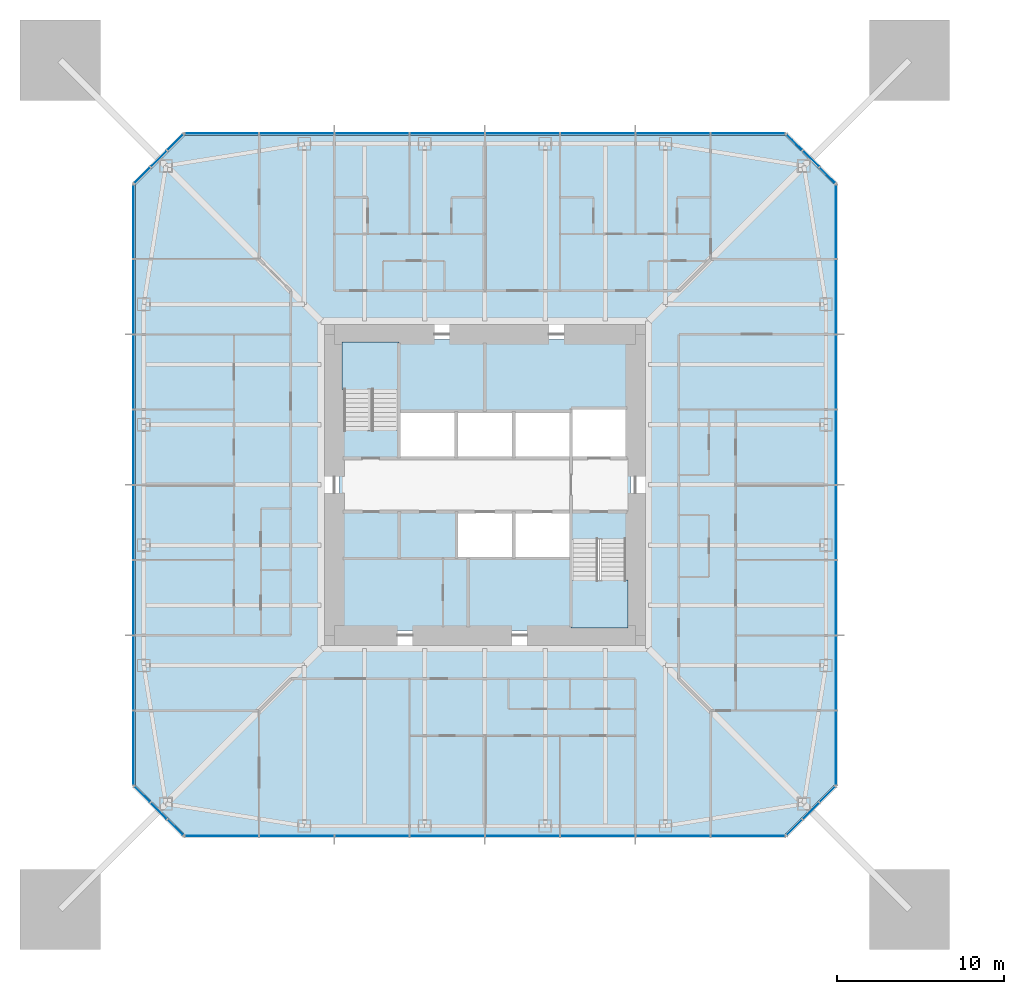
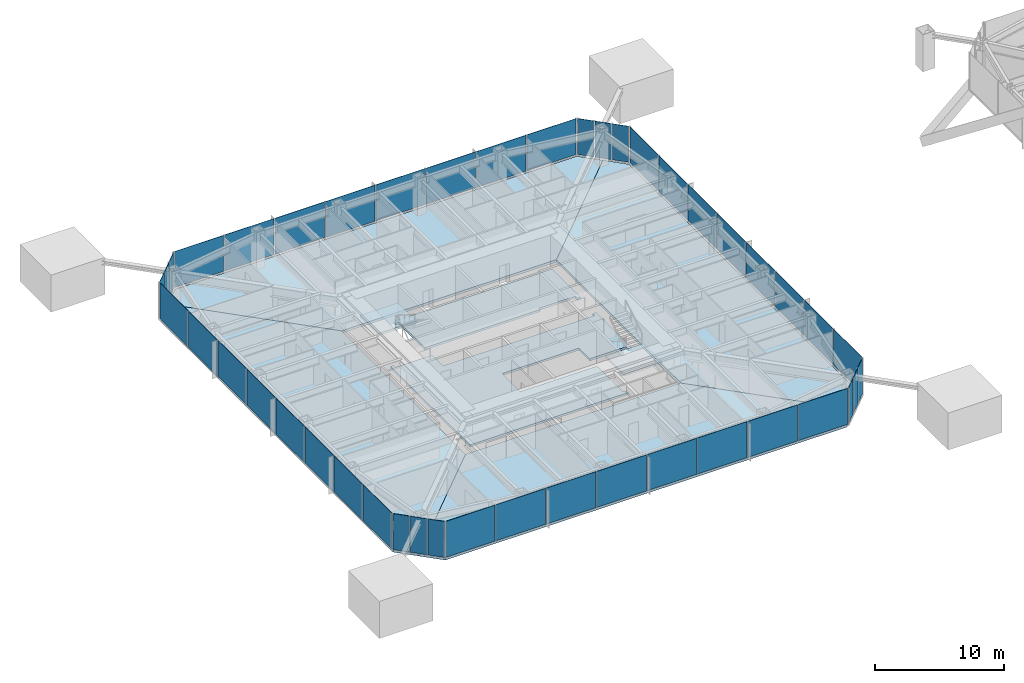
# One storey, part 11 of 25: 44 plates, 8 slabs, 10 elements without a shape of their own.
"""IFC4 building model written with IfcOpenShell, lengths in metres."""

from ifc_helpers import new_model, si_unit, direction, frame, origin, origin_2d, place, context, subcontext, project, spatial, polyline, rectangle, outline, extrude, material, layer, layer_set, constituent, constituent_set, type_object, element, aggregate, save


model = new_model("IFC4")

# Units and contexts
model_context = context("Model", 3, precision=1e-05, world=origin(), true_north=direction((0.0, 1.0)))
body_context = subcontext(model_context, "Body", "Model", "MODEL_VIEW")
ifc_project = project(units=[si_unit("LENGTHUNIT", "METRE"), si_unit("AREAUNIT", "SQUARE_METRE"), si_unit("VOLUMEUNIT", "CUBIC_METRE"), si_unit("PLANEANGLEUNIT", "RADIAN"), si_unit("MASSUNIT", "GRAM", prefix="KILO")], contexts=[model_context])

# Site, building, storey
site_placement = place(None, origin())
site = spatial("IfcSite", under=ifc_project, at=site_placement, CompositionType="ELEMENT")
building_placement = place(site_placement, origin())
building = spatial("IfcBuilding", under=site, at=building_placement, Name="Iwan Alto Co-Living Towers", CompositionType="ELEMENT")
storey_placement = place(building_placement, frame((0.0, 0.0, 108.5)))
storey = spatial("IfcBuildingStorey", under=building, at=storey_placement, Name="L29", CompositionType="ELEMENT", Elevation=108.5)

# Slabs
ifc_material_1 = material(Name="Concrete f'c 30 MPa", Category="concrete")
ifc_layer_1 = layer(ifc_material_1, 0.199951171875)
ifc_layer_set_1 = layer_set([ifc_layer_1], Name="CORE FLOOR SLAB 200")
slab_type_1 = type_object("IfcSlabType", Name="CORE FLOOR SLAB 200", PredefinedType="FLOOR", material=ifc_layer_set_1)
slab_1_placement = place(storey_placement, frame((0.0, 0.0, -0.199951171875)))
element("IfcSlab", 1, at=slab_1_placement, inside=storey, type_object=slab_type_1, Name="T1 core floor L29", PredefinedType="FLOOR", context=body_context, shape_type="SweptSolid", body=[
    extrude(outline(polyline([(5.14990234375, -1.60009765625), (1.72509765625, -1.60009765625), (-1.699951171875, -1.60009765625), (-1.699951171875, -4.39990234375), (1.72509765625, -4.39990234375), (5.14990234375, -4.39990234375), (5.14990234375, -8.39990234375), (5.4599609375, -8.39990234375), (5.4599609375, -8.699951171875), (-8.699951171875, -8.699951171875), (-8.699951171875, 3.580078125), (-8.39990234375, 3.580078125), (-8.39990234375, 3.27001953125), (-5.14990234375, 3.27001953125), (-5.14990234375, 1.60009765625), (-1.717041015625, 1.60009765625), (1.717041015625, 1.60009765625), (5.14990234375, 1.60009765625), (8.39990234375, 1.60009765625), (8.39990234375, 1.909912109375), (8.699951171875, 1.909912109375), (8.699951171875, -3.580078125), (8.39990234375, -3.580078125), (8.39990234375, -3.27001953125), (5.14990234375, -3.27001953125), (5.14990234375, -1.60009765625)])), origin(), (0.0, 0.0, 1.0), 0.199951171875),
])
slab_2_placement = place(storey_placement, frame((0.0, 0.0, -0.199951171875)))
element("IfcSlab", 2, at=slab_2_placement, inside=storey, type_object=slab_type_1, Name="T1 core floor L29", PredefinedType="FLOOR", context=body_context, shape_type="SweptSolid", body=[
    extrude(outline(polyline([(1.717041015625, 4.39990234375), (-1.717041015625, 4.39990234375), (-5.14990234375, 4.39990234375), (-5.14990234375, 8.39990234375), (-5.4599609375, 8.39990234375), (-5.4599609375, 8.699951171875), (8.699951171875, 8.699951171875), (8.699951171875, 4.2900390625), (8.39990234375, 4.2900390625), (8.39990234375, 4.60009765625), (5.14990234375, 4.60009765625), (5.14990234375, 4.39990234375), (1.717041015625, 4.39990234375)])), origin(), (0.0, 0.0, 1.0), 0.199951171875),
])

# Curtain wall, plates
ifc_material_2 = material(Name="Bronze aluminium unitised frame", Category="aluminium")
curtain_wall_type_1 = type_object("IfcCurtainWallType", Name="CURTAIN WALL CW-A", PredefinedType="NOTDEFINED", material=ifc_material_2)
curtain_wall_1_placement = place(storey_placement, origin())
curtain_wall_1 = element("IfcCurtainWall", 3, at=curtain_wall_1_placement, inside=storey, type_object=curtain_wall_type_1, Name="T1 curtain wall S L29", PredefinedType="NOTDEFINED")
ifc_material_3 = material(Name="Bronze-tinted insulating glass", Category="glass")
ifc_layer_2 = layer(ifc_material_3, 0.031982421875)
ifc_layer_set_2 = layer_set([ifc_layer_2], Name="CW-A PANEL TINTED IGU 32")
plate_type_1 = type_object("IfcPlateType", Name="CW-A PANEL TINTED IGU 32", PredefinedType="CURTAIN_PANEL", material=ifc_layer_set_2)
plate_1_placement = place(storey_placement, frame((-15.72998046875, -21.0, 0.10009765625), z_axis=(0.0, 0.0, 1.0), x_axis=(1.0, 0.0, 0.0)))
plate_1 = element("IfcPlate", 4, at=plate_1_placement, type_object=plate_type_1, Name="CW-A panel 1.1", PredefinedType="CURTAIN_PANEL", context=body_context, shape_type="SweptSolid", body=[
    extrude(rectangle(XDim=4.3798828125, YDim=0.031982421875, at=origin_2d()), origin(), (0.0, 0.0, 1.0), 3.39990234375),
])
plate_2_placement = place(storey_placement, frame((-11.25, -21.0, 0.10009765625), z_axis=(0.0, 0.0, 1.0), x_axis=(1.0, 0.0, 0.0)))
plate_2 = element("IfcPlate", 5, at=plate_2_placement, type_object=plate_type_1, Name="CW-A panel 2.1", PredefinedType="CURTAIN_PANEL", context=body_context, shape_type="SweptSolid", body=[
    extrude(rectangle(XDim=4.419921875, YDim=0.031982421875, at=origin_2d()), origin(), (0.0, 0.0, 1.0), 3.39990234375),
])
plate_3_placement = place(storey_placement, frame((-6.75, -21.0, 0.10009765625), z_axis=(0.0, 0.0, 1.0), x_axis=(1.0, 0.0, 0.0)))
plate_3 = element("IfcPlate", 6, at=plate_3_placement, type_object=plate_type_1, Name="CW-A panel 3.1", PredefinedType="CURTAIN_PANEL", context=body_context, shape_type="SweptSolid", body=[
    extrude(rectangle(XDim=4.419921875, YDim=0.031982421875, at=origin_2d()), origin(), (0.0, 0.0, 1.0), 3.39990234375),
])
plate_4_placement = place(storey_placement, frame((-2.25, -21.0, 0.10009765625), z_axis=(0.0, 0.0, 1.0), x_axis=(1.0, 0.0, 0.0)))
plate_4 = element("IfcPlate", 7, at=plate_4_placement, type_object=plate_type_1, Name="CW-A panel 4.1", PredefinedType="CURTAIN_PANEL", context=body_context, shape_type="SweptSolid", body=[
    extrude(rectangle(XDim=4.419921875, YDim=0.031982421875, at=origin_2d()), origin(), (0.0, 0.0, 1.0), 3.39990234375),
])
plate_5_placement = place(storey_placement, frame((2.25, -21.0, 0.10009765625), z_axis=(0.0, 0.0, 1.0), x_axis=(1.0, 0.0, 0.0)))
plate_5 = element("IfcPlate", 8, at=plate_5_placement, type_object=plate_type_1, Name="CW-A panel 5.1", PredefinedType="CURTAIN_PANEL", context=body_context, shape_type="SweptSolid", body=[
    extrude(rectangle(XDim=4.419921875, YDim=0.031982421875, at=origin_2d()), origin(), (0.0, 0.0, 1.0), 3.39990234375),
])
plate_6_placement = place(storey_placement, frame((6.75, -21.0, 0.10009765625), z_axis=(0.0, 0.0, 1.0), x_axis=(1.0, 0.0, 0.0)))
plate_6 = element("IfcPlate", 9, at=plate_6_placement, type_object=plate_type_1, Name="CW-A panel 6.1", PredefinedType="CURTAIN_PANEL", context=body_context, shape_type="SweptSolid", body=[
    extrude(rectangle(XDim=4.419921875, YDim=0.031982421875, at=origin_2d()), origin(), (0.0, 0.0, 1.0), 3.39990234375),
])
plate_7_placement = place(storey_placement, frame((11.25, -21.0, 0.10009765625), z_axis=(0.0, 0.0, 1.0), x_axis=(1.0, 0.0, 0.0)))
plate_7 = element("IfcPlate", 10, at=plate_7_placement, type_object=plate_type_1, Name="CW-A panel 7.1", PredefinedType="CURTAIN_PANEL", context=body_context, shape_type="SweptSolid", body=[
    extrude(rectangle(XDim=4.419921875, YDim=0.031982421875, at=origin_2d()), origin(), (0.0, 0.0, 1.0), 3.39990234375),
])
plate_8_placement = place(storey_placement, frame((15.72998046875, -21.0, 0.10009765625), z_axis=(0.0, 0.0, 1.0), x_axis=(1.0, 0.0, 0.0)))
plate_8 = element("IfcPlate", 11, at=plate_8_placement, type_object=plate_type_1, Name="CW-A panel 8.1", PredefinedType="CURTAIN_PANEL", context=body_context, shape_type="SweptSolid", body=[
    extrude(rectangle(XDim=4.3798828125, YDim=0.031982421875, at=origin_2d()), origin(), (0.0, 0.0, 1.0), 3.39990234375),
])
aggregate(curtain_wall_1, [plate_1, plate_2, plate_3, plate_4, plate_5, plate_6, plate_7, plate_8])

curtain_wall_2_placement = place(storey_placement, origin())
curtain_wall_2 = element("IfcCurtainWall", 12, at=curtain_wall_2_placement, inside=storey, type_object=curtain_wall_type_1, Name="T1 curtain wall E L29", PredefinedType="NOTDEFINED")
plate_9_placement = place(storey_placement, frame((21.0, -15.72998046875, 0.10009765625), z_axis=(0.0, 0.0, 1.0), x_axis=(0.0, 1.0, 0.0)))
plate_9 = element("IfcPlate", 13, at=plate_9_placement, type_object=plate_type_1, Name="CW-A panel 1.1", PredefinedType="CURTAIN_PANEL", context=body_context, shape_type="SweptSolid", body=[
    extrude(rectangle(XDim=4.3798828125, YDim=0.031982421875, at=origin_2d()), origin(), (0.0, 0.0, 1.0), 3.39990234375),
])
plate_10_placement = place(storey_placement, frame((21.0, -11.25, 0.10009765625), z_axis=(0.0, 0.0, 1.0), x_axis=(0.0, 1.0, 0.0)))
plate_10 = element("IfcPlate", 14, at=plate_10_placement, type_object=plate_type_1, Name="CW-A panel 2.1", PredefinedType="CURTAIN_PANEL", context=body_context, shape_type="SweptSolid", body=[
    extrude(rectangle(XDim=4.419921875, YDim=0.031982421875, at=origin_2d()), origin(), (0.0, 0.0, 1.0), 3.39990234375),
])
plate_11_placement = place(storey_placement, frame((21.0, -6.75, 0.10009765625), z_axis=(0.0, 0.0, 1.0), x_axis=(0.0, 1.0, 0.0)))
plate_11 = element("IfcPlate", 15, at=plate_11_placement, type_object=plate_type_1, Name="CW-A panel 3.1", PredefinedType="CURTAIN_PANEL", context=body_context, shape_type="SweptSolid", body=[
    extrude(rectangle(XDim=4.419921875, YDim=0.031982421875, at=origin_2d()), origin(), (0.0, 0.0, 1.0), 3.39990234375),
])
plate_12_placement = place(storey_placement, frame((21.0, -2.25, 0.10009765625), z_axis=(0.0, 0.0, 1.0), x_axis=(0.0, 1.0, 0.0)))
plate_12 = element("IfcPlate", 16, at=plate_12_placement, type_object=plate_type_1, Name="CW-A panel 4.1", PredefinedType="CURTAIN_PANEL", context=body_context, shape_type="SweptSolid", body=[
    extrude(rectangle(XDim=4.419921875, YDim=0.031982421875, at=origin_2d()), origin(), (0.0, 0.0, 1.0), 3.39990234375),
])
plate_13_placement = place(storey_placement, frame((21.0, 2.25, 0.10009765625), z_axis=(0.0, 0.0, 1.0), x_axis=(0.0, 1.0, 0.0)))
plate_13 = element("IfcPlate", 17, at=plate_13_placement, type_object=plate_type_1, Name="CW-A panel 5.1", PredefinedType="CURTAIN_PANEL", context=body_context, shape_type="SweptSolid", body=[
    extrude(rectangle(XDim=4.419921875, YDim=0.031982421875, at=origin_2d()), origin(), (0.0, 0.0, 1.0), 3.39990234375),
])
plate_14_placement = place(storey_placement, frame((21.0, 6.75, 0.10009765625), z_axis=(0.0, 0.0, 1.0), x_axis=(0.0, 1.0, 0.0)))
plate_14 = element("IfcPlate", 18, at=plate_14_placement, type_object=plate_type_1, Name="CW-A panel 6.1", PredefinedType="CURTAIN_PANEL", context=body_context, shape_type="SweptSolid", body=[
    extrude(rectangle(XDim=4.419921875, YDim=0.031982421875, at=origin_2d()), origin(), (0.0, 0.0, 1.0), 3.39990234375),
])
plate_15_placement = place(storey_placement, frame((21.0, 11.25, 0.10009765625), z_axis=(0.0, 0.0, 1.0), x_axis=(0.0, 1.0, 0.0)))
plate_15 = element("IfcPlate", 19, at=plate_15_placement, type_object=plate_type_1, Name="CW-A panel 7.1", PredefinedType="CURTAIN_PANEL", context=body_context, shape_type="SweptSolid", body=[
    extrude(rectangle(XDim=4.419921875, YDim=0.031982421875, at=origin_2d()), origin(), (0.0, 0.0, 1.0), 3.39990234375),
])
plate_16_placement = place(storey_placement, frame((21.0, 15.72998046875, 0.10009765625), z_axis=(0.0, 0.0, 1.0), x_axis=(0.0, 1.0, 0.0)))
plate_16 = element("IfcPlate", 20, at=plate_16_placement, type_object=plate_type_1, Name="CW-A panel 8.1", PredefinedType="CURTAIN_PANEL", context=body_context, shape_type="SweptSolid", body=[
    extrude(rectangle(XDim=4.3798828125, YDim=0.031982421875, at=origin_2d()), origin(), (0.0, 0.0, 1.0), 3.39990234375),
])
aggregate(curtain_wall_2, [plate_9, plate_10, plate_11, plate_12, plate_13, plate_14, plate_15, plate_16])

curtain_wall_3_placement = place(storey_placement, origin())
curtain_wall_3 = element("IfcCurtainWall", 21, at=curtain_wall_3_placement, inside=storey, type_object=curtain_wall_type_1, Name="T1 curtain wall N L29", PredefinedType="NOTDEFINED")
plate_17_placement = place(storey_placement, frame((15.72998046875, 21.0, 0.10009765625), z_axis=(0.0, 0.0, 1.0), x_axis=(-1.0, 0.0, 0.0)))
plate_17 = element("IfcPlate", 22, at=plate_17_placement, type_object=plate_type_1, Name="CW-A panel 1.1", PredefinedType="CURTAIN_PANEL", context=body_context, shape_type="SweptSolid", body=[
    extrude(rectangle(XDim=4.3798828125, YDim=0.031982421875, at=origin_2d()), origin(), (0.0, 0.0, 1.0), 3.39990234375),
])
plate_18_placement = place(storey_placement, frame((11.25, 21.0, 0.10009765625), z_axis=(0.0, 0.0, 1.0), x_axis=(-1.0, 0.0, 0.0)))
plate_18 = element("IfcPlate", 23, at=plate_18_placement, type_object=plate_type_1, Name="CW-A panel 2.1", PredefinedType="CURTAIN_PANEL", context=body_context, shape_type="SweptSolid", body=[
    extrude(rectangle(XDim=4.419921875, YDim=0.031982421875, at=origin_2d()), origin(), (0.0, 0.0, 1.0), 3.39990234375),
])
plate_19_placement = place(storey_placement, frame((6.75, 21.0, 0.10009765625), z_axis=(0.0, 0.0, 1.0), x_axis=(-1.0, 0.0, 0.0)))
plate_19 = element("IfcPlate", 24, at=plate_19_placement, type_object=plate_type_1, Name="CW-A panel 3.1", PredefinedType="CURTAIN_PANEL", context=body_context, shape_type="SweptSolid", body=[
    extrude(rectangle(XDim=4.419921875, YDim=0.031982421875, at=origin_2d()), origin(), (0.0, 0.0, 1.0), 3.39990234375),
])
plate_20_placement = place(storey_placement, frame((2.25, 21.0, 0.10009765625), z_axis=(0.0, 0.0, 1.0), x_axis=(-1.0, 0.0, 0.0)))
plate_20 = element("IfcPlate", 25, at=plate_20_placement, type_object=plate_type_1, Name="CW-A panel 4.1", PredefinedType="CURTAIN_PANEL", context=body_context, shape_type="SweptSolid", body=[
    extrude(rectangle(XDim=4.419921875, YDim=0.031982421875, at=origin_2d()), origin(), (0.0, 0.0, 1.0), 3.39990234375),
])
plate_21_placement = place(storey_placement, frame((-2.25, 21.0, 0.10009765625), z_axis=(0.0, 0.0, 1.0), x_axis=(-1.0, 0.0, 0.0)))
plate_21 = element("IfcPlate", 26, at=plate_21_placement, type_object=plate_type_1, Name="CW-A panel 5.1", PredefinedType="CURTAIN_PANEL", context=body_context, shape_type="SweptSolid", body=[
    extrude(rectangle(XDim=4.419921875, YDim=0.031982421875, at=origin_2d()), origin(), (0.0, 0.0, 1.0), 3.39990234375),
])
plate_22_placement = place(storey_placement, frame((-6.75, 21.0, 0.10009765625), z_axis=(0.0, 0.0, 1.0), x_axis=(-1.0, 0.0, 0.0)))
plate_22 = element("IfcPlate", 27, at=plate_22_placement, type_object=plate_type_1, Name="CW-A panel 6.1", PredefinedType="CURTAIN_PANEL", context=body_context, shape_type="SweptSolid", body=[
    extrude(rectangle(XDim=4.419921875, YDim=0.031982421875, at=origin_2d()), origin(), (0.0, 0.0, 1.0), 3.39990234375),
])
plate_23_placement = place(storey_placement, frame((-11.25, 21.0, 0.10009765625), z_axis=(0.0, 0.0, 1.0), x_axis=(-1.0, 0.0, 0.0)))
plate_23 = element("IfcPlate", 28, at=plate_23_placement, type_object=plate_type_1, Name="CW-A panel 7.1", PredefinedType="CURTAIN_PANEL", context=body_context, shape_type="SweptSolid", body=[
    extrude(rectangle(XDim=4.419921875, YDim=0.031982421875, at=origin_2d()), origin(), (0.0, 0.0, 1.0), 3.39990234375),
])
plate_24_placement = place(storey_placement, frame((-15.72998046875, 21.0, 0.10009765625), z_axis=(0.0, 0.0, 1.0), x_axis=(-1.0, 0.0, 0.0)))
plate_24 = element("IfcPlate", 29, at=plate_24_placement, type_object=plate_type_1, Name="CW-A panel 8.1", PredefinedType="CURTAIN_PANEL", context=body_context, shape_type="SweptSolid", body=[
    extrude(rectangle(XDim=4.3798828125, YDim=0.031982421875, at=origin_2d()), origin(), (0.0, 0.0, 1.0), 3.39990234375),
])
aggregate(curtain_wall_3, [plate_17, plate_18, plate_19, plate_20, plate_21, plate_22, plate_23, plate_24])

curtain_wall_4_placement = place(storey_placement, origin())
curtain_wall_4 = element("IfcCurtainWall", 30, at=curtain_wall_4_placement, inside=storey, type_object=curtain_wall_type_1, Name="T1 curtain wall W L29", PredefinedType="NOTDEFINED")
plate_25_placement = place(storey_placement, frame((-21.0, 15.72998046875, 0.10009765625), z_axis=(0.0, 0.0, 1.0), x_axis=(0.0, -1.0, 0.0)))
plate_25 = element("IfcPlate", 31, at=plate_25_placement, type_object=plate_type_1, Name="CW-A panel 1.1", PredefinedType="CURTAIN_PANEL", context=body_context, shape_type="SweptSolid", body=[
    extrude(rectangle(XDim=4.3798828125, YDim=0.031982421875, at=origin_2d()), origin(), (0.0, 0.0, 1.0), 3.39990234375),
])
plate_26_placement = place(storey_placement, frame((-21.0, 11.25, 0.10009765625), z_axis=(0.0, 0.0, 1.0), x_axis=(0.0, -1.0, 0.0)))
plate_26 = element("IfcPlate", 32, at=plate_26_placement, type_object=plate_type_1, Name="CW-A panel 2.1", PredefinedType="CURTAIN_PANEL", context=body_context, shape_type="SweptSolid", body=[
    extrude(rectangle(XDim=4.419921875, YDim=0.031982421875, at=origin_2d()), origin(), (0.0, 0.0, 1.0), 3.39990234375),
])
plate_27_placement = place(storey_placement, frame((-21.0, 6.75, 0.10009765625), z_axis=(0.0, 0.0, 1.0), x_axis=(0.0, -1.0, 0.0)))
plate_27 = element("IfcPlate", 33, at=plate_27_placement, type_object=plate_type_1, Name="CW-A panel 3.1", PredefinedType="CURTAIN_PANEL", context=body_context, shape_type="SweptSolid", body=[
    extrude(rectangle(XDim=4.419921875, YDim=0.031982421875, at=origin_2d()), origin(), (0.0, 0.0, 1.0), 3.39990234375),
])
plate_28_placement = place(storey_placement, frame((-21.0, 2.25, 0.10009765625), z_axis=(0.0, 0.0, 1.0), x_axis=(0.0, -1.0, 0.0)))
plate_28 = element("IfcPlate", 34, at=plate_28_placement, type_object=plate_type_1, Name="CW-A panel 4.1", PredefinedType="CURTAIN_PANEL", context=body_context, shape_type="SweptSolid", body=[
    extrude(rectangle(XDim=4.419921875, YDim=0.031982421875, at=origin_2d()), origin(), (0.0, 0.0, 1.0), 3.39990234375),
])
plate_29_placement = place(storey_placement, frame((-21.0, -2.25, 0.10009765625), z_axis=(0.0, 0.0, 1.0), x_axis=(0.0, -1.0, 0.0)))
plate_29 = element("IfcPlate", 35, at=plate_29_placement, type_object=plate_type_1, Name="CW-A panel 5.1", PredefinedType="CURTAIN_PANEL", context=body_context, shape_type="SweptSolid", body=[
    extrude(rectangle(XDim=4.419921875, YDim=0.031982421875, at=origin_2d()), origin(), (0.0, 0.0, 1.0), 3.39990234375),
])
plate_30_placement = place(storey_placement, frame((-21.0, -6.75, 0.10009765625), z_axis=(0.0, 0.0, 1.0), x_axis=(0.0, -1.0, 0.0)))
plate_30 = element("IfcPlate", 36, at=plate_30_placement, type_object=plate_type_1, Name="CW-A panel 6.1", PredefinedType="CURTAIN_PANEL", context=body_context, shape_type="SweptSolid", body=[
    extrude(rectangle(XDim=4.419921875, YDim=0.031982421875, at=origin_2d()), origin(), (0.0, 0.0, 1.0), 3.39990234375),
])
plate_31_placement = place(storey_placement, frame((-21.0, -11.25, 0.10009765625), z_axis=(0.0, 0.0, 1.0), x_axis=(0.0, -1.0, 0.0)))
plate_31 = element("IfcPlate", 37, at=plate_31_placement, type_object=plate_type_1, Name="CW-A panel 7.1", PredefinedType="CURTAIN_PANEL", context=body_context, shape_type="SweptSolid", body=[
    extrude(rectangle(XDim=4.419921875, YDim=0.031982421875, at=origin_2d()), origin(), (0.0, 0.0, 1.0), 3.39990234375),
])
plate_32_placement = place(storey_placement, frame((-21.0, -15.72998046875, 0.10009765625), z_axis=(0.0, 0.0, 1.0), x_axis=(0.0, -1.0, 0.0)))
plate_32 = element("IfcPlate", 38, at=plate_32_placement, type_object=plate_type_1, Name="CW-A panel 8.1", PredefinedType="CURTAIN_PANEL", context=body_context, shape_type="SweptSolid", body=[
    extrude(rectangle(XDim=4.3798828125, YDim=0.031982421875, at=origin_2d()), origin(), (0.0, 0.0, 1.0), 3.39990234375),
])
aggregate(curtain_wall_4, [plate_25, plate_26, plate_27, plate_28, plate_29, plate_30, plate_31, plate_32])

ifc_material_4 = material(Name="Bronze aluminium unitised frame", Category="aluminium")
curtain_wall_type_2 = type_object("IfcCurtainWallType", Name="CURTAIN WALL CW-B", PredefinedType="NOTDEFINED", material=ifc_material_4)
curtain_wall_5_placement = place(storey_placement, origin())
curtain_wall_5 = element("IfcCurtainWall", 39, at=curtain_wall_5_placement, inside=storey, type_object=curtain_wall_type_2, Name="T1 chamfer curtain wall SE L29", PredefinedType="NOTDEFINED")
ifc_material_5 = material(Name="Bronze-tinted insulating glass", Category="glass")
ifc_layer_3 = layer(ifc_material_5, 0.031982421875)
ifc_layer_set_3 = layer_set([ifc_layer_3], Name="CW-B PANEL TINTED IGU 32")
plate_type_2 = type_object("IfcPlateType", Name="CW-B PANEL TINTED IGU 32", PredefinedType="CURTAIN_PANEL", material=ifc_layer_set_3)
plate_33_placement = place(storey_placement, frame((18.51416015625, -20.48583984375, 0.10009765625), z_axis=(0.0, 0.0, 1.0), x_axis=(0.707106781187, 0.707106781187, 0.0)))
plate_33 = element("IfcPlate", 40, at=plate_33_placement, type_object=plate_type_2, Name="CW-B panel 1.1", PredefinedType="CURTAIN_PANEL", context=body_context, shape_type="SweptSolid", body=[
    extrude(rectangle(XDim=1.294189453125, YDim=0.031982421875, at=origin_2d()), origin(), (0.0, 0.0, 1.0), 3.39990234375),
])
plate_34_placement = place(storey_placement, frame((19.5, -19.5, 0.10009765625), z_axis=(0.0, 0.0, 1.0), x_axis=(0.707106781187, 0.707106781187, 0.0)))
plate_34 = element("IfcPlate", 41, at=plate_34_placement, type_object=plate_type_2, Name="CW-B panel 2.1", PredefinedType="CURTAIN_PANEL", context=body_context, shape_type="SweptSolid", body=[
    extrude(rectangle(XDim=1.334228515625, YDim=0.031982421875, at=origin_2d()), origin(), (0.0, 0.0, 1.0), 3.39990234375),
])
plate_35_placement = place(storey_placement, frame((20.48583984375, -18.51416015625, 0.10009765625), z_axis=(0.0, 0.0, 1.0), x_axis=(0.707106781187, 0.707106781187, 0.0)))
plate_35 = element("IfcPlate", 42, at=plate_35_placement, type_object=plate_type_2, Name="CW-B panel 3.1", PredefinedType="CURTAIN_PANEL", context=body_context, shape_type="SweptSolid", body=[
    extrude(rectangle(XDim=1.294189453125, YDim=0.031982421875, at=origin_2d()), origin(), (0.0, 0.0, 1.0), 3.39990234375),
])
aggregate(curtain_wall_5, [plate_33, plate_34, plate_35])

curtain_wall_6_placement = place(storey_placement, origin())
curtain_wall_6 = element("IfcCurtainWall", 43, at=curtain_wall_6_placement, inside=storey, type_object=curtain_wall_type_2, Name="T1 chamfer curtain wall NE L29", PredefinedType="NOTDEFINED")
plate_36_placement = place(storey_placement, frame((20.48583984375, 18.51416015625, 0.10009765625), z_axis=(0.0, 0.0, 1.0), x_axis=(-0.707106781187, 0.707106781187, 0.0)))
plate_36 = element("IfcPlate", 44, at=plate_36_placement, type_object=plate_type_2, Name="CW-B panel 1.1", PredefinedType="CURTAIN_PANEL", context=body_context, shape_type="SweptSolid", body=[
    extrude(rectangle(XDim=1.294189453125, YDim=0.031982421875, at=origin_2d()), origin(), (0.0, 0.0, 1.0), 3.39990234375),
])
plate_37_placement = place(storey_placement, frame((19.5, 19.5, 0.10009765625), z_axis=(0.0, 0.0, 1.0), x_axis=(-0.707106781187, 0.707106781187, 0.0)))
plate_37 = element("IfcPlate", 45, at=plate_37_placement, type_object=plate_type_2, Name="CW-B panel 2.1", PredefinedType="CURTAIN_PANEL", context=body_context, shape_type="SweptSolid", body=[
    extrude(rectangle(XDim=1.334228515625, YDim=0.031982421875, at=origin_2d()), origin(), (0.0, 0.0, 1.0), 3.39990234375),
])
plate_38_placement = place(storey_placement, frame((18.51416015625, 20.48583984375, 0.10009765625), z_axis=(0.0, 0.0, 1.0), x_axis=(-0.707106781187, 0.707106781187, 0.0)))
plate_38 = element("IfcPlate", 46, at=plate_38_placement, type_object=plate_type_2, Name="CW-B panel 3.1", PredefinedType="CURTAIN_PANEL", context=body_context, shape_type="SweptSolid", body=[
    extrude(rectangle(XDim=1.294189453125, YDim=0.031982421875, at=origin_2d()), origin(), (0.0, 0.0, 1.0), 3.39990234375),
])
aggregate(curtain_wall_6, [plate_36, plate_37, plate_38])

curtain_wall_7_placement = place(storey_placement, origin())
curtain_wall_7 = element("IfcCurtainWall", 47, at=curtain_wall_7_placement, inside=storey, type_object=curtain_wall_type_2, Name="T1 chamfer curtain wall NW L29", PredefinedType="NOTDEFINED")
plate_39_placement = place(storey_placement, frame((-18.51416015625, 20.48583984375, 0.10009765625), z_axis=(0.0, 0.0, 1.0), x_axis=(-0.707106781187, -0.707106781187, 0.0)))
plate_39 = element("IfcPlate", 48, at=plate_39_placement, type_object=plate_type_2, Name="CW-B panel 1.1", PredefinedType="CURTAIN_PANEL", context=body_context, shape_type="SweptSolid", body=[
    extrude(rectangle(XDim=1.294189453125, YDim=0.031982421875, at=origin_2d()), origin(), (0.0, 0.0, 1.0), 3.39990234375),
])
plate_40_placement = place(storey_placement, frame((-19.5, 19.5, 0.10009765625), z_axis=(0.0, 0.0, 1.0), x_axis=(-0.707106781187, -0.707106781187, 0.0)))
plate_40 = element("IfcPlate", 49, at=plate_40_placement, type_object=plate_type_2, Name="CW-B panel 2.1", PredefinedType="CURTAIN_PANEL", context=body_context, shape_type="SweptSolid", body=[
    extrude(rectangle(XDim=1.334228515625, YDim=0.031982421875, at=origin_2d()), origin(), (0.0, 0.0, 1.0), 3.39990234375),
])
plate_41_placement = place(storey_placement, frame((-20.48583984375, 18.51416015625, 0.10009765625), z_axis=(0.0, 0.0, 1.0), x_axis=(-0.707106781187, -0.707106781187, 0.0)))
plate_41 = element("IfcPlate", 50, at=plate_41_placement, type_object=plate_type_2, Name="CW-B panel 3.1", PredefinedType="CURTAIN_PANEL", context=body_context, shape_type="SweptSolid", body=[
    extrude(rectangle(XDim=1.294189453125, YDim=0.031982421875, at=origin_2d()), origin(), (0.0, 0.0, 1.0), 3.39990234375),
])
aggregate(curtain_wall_7, [plate_39, plate_40, plate_41])

curtain_wall_8_placement = place(storey_placement, origin())
curtain_wall_8 = element("IfcCurtainWall", 51, at=curtain_wall_8_placement, inside=storey, type_object=curtain_wall_type_2, Name="T1 chamfer curtain wall SW L29", PredefinedType="NOTDEFINED")
plate_42_placement = place(storey_placement, frame((-20.48583984375, -18.51416015625, 0.10009765625), z_axis=(0.0, 0.0, 1.0), x_axis=(0.707106781187, -0.707106781187, 0.0)))
plate_42 = element("IfcPlate", 52, at=plate_42_placement, type_object=plate_type_2, Name="CW-B panel 1.1", PredefinedType="CURTAIN_PANEL", context=body_context, shape_type="SweptSolid", body=[
    extrude(rectangle(XDim=1.294189453125, YDim=0.031982421875, at=origin_2d()), origin(), (0.0, 0.0, 1.0), 3.39990234375),
])
plate_43_placement = place(storey_placement, frame((-19.5, -19.5, 0.10009765625), z_axis=(0.0, 0.0, 1.0), x_axis=(0.707106781187, -0.707106781187, 0.0)))
plate_43 = element("IfcPlate", 53, at=plate_43_placement, type_object=plate_type_2, Name="CW-B panel 2.1", PredefinedType="CURTAIN_PANEL", context=body_context, shape_type="SweptSolid", body=[
    extrude(rectangle(XDim=1.334228515625, YDim=0.031982421875, at=origin_2d()), origin(), (0.0, 0.0, 1.0), 3.39990234375),
])
plate_44_placement = place(storey_placement, frame((-18.51416015625, -20.48583984375, 0.10009765625), z_axis=(0.0, 0.0, 1.0), x_axis=(0.707106781187, -0.707106781187, 0.0)))
plate_44 = element("IfcPlate", 54, at=plate_44_placement, type_object=plate_type_2, Name="CW-B panel 3.1", PredefinedType="CURTAIN_PANEL", context=body_context, shape_type="SweptSolid", body=[
    extrude(rectangle(XDim=1.294189453125, YDim=0.031982421875, at=origin_2d()), origin(), (0.0, 0.0, 1.0), 3.39990234375),
])
aggregate(curtain_wall_8, [plate_42, plate_43, plate_44])

# Stair, slab
ifc_material_6 = material(Name="Steel ASTM A36", Category="steel")
ifc_constituent_1 = constituent(ifc_material_6, Name="Stringers", Category="LoadBearing")
ifc_material_7 = material(Name="Concrete f'c 30 MPa", Category="concrete")
ifc_constituent_2 = constituent(ifc_material_7, Name="Tread fill", Category="Finish")
ifc_constituent_set = constituent_set(constituents=[ifc_constituent_1, ifc_constituent_2], Name="STAIR 3500 TWO-FLIGHT T1 CORE")
stair_type = type_object("IfcStairType", Name="STAIR 3500 TWO-FLIGHT T1 CORE", PredefinedType="HALF_TURN_STAIR", material=ifc_constituent_set)
stair_1_placement = place(storey_placement, origin())
stair_1 = element("IfcStair", 55, at=stair_1_placement, inside=storey, type_object=stair_type, Name="Stair T1-S1 L29 to L30", PredefinedType="HALF_TURN_STAIR")
ifc_material_8 = material(Name="Concrete f'c 30 MPa", Category="concrete")
ifc_layer_4 = layer(ifc_material_8, 0.199951171875)
ifc_layer_set_4 = layer_set([ifc_layer_4], Name="STAIR LANDING 200")
slab_type_2 = type_object("IfcSlabType", Name="STAIR LANDING 200", PredefinedType="LANDING", material=ifc_layer_set_4)
slab_3_placement = place(storey_placement, frame((0.0, 0.0, 1.550048828125)))
slab_3 = element("IfcSlab", 56, at=slab_3_placement, type_object=slab_type_2, Name="T1-S1 landing 1", PredefinedType="LANDING", context=body_context, shape_type="SweptSolid", body=[
    extrude(outline(polyline([(-8.550048828125, 5.68994140625), (-8.550048828125, 8.550048828125), (-5.14990234375, 8.550048828125), (-5.14990234375, 5.68994140625), (-8.550048828125, 5.68994140625)])), origin(), (0.0, 0.0, 1.0), 0.199951171875),
])
aggregate(stair_1, [slab_3])

stair_2_placement = place(storey_placement, origin())
stair_2 = element("IfcStair", 57, at=stair_2_placement, inside=storey, type_object=stair_type, Name="Stair T1-S2 L29 to L30", PredefinedType="HALF_TURN_STAIR")
slab_4_placement = place(storey_placement, frame((0.0, 0.0, 1.550048828125)))
slab_4 = element("IfcSlab", 58, at=slab_4_placement, type_object=slab_type_2, Name="T1-S2 landing 1", PredefinedType="LANDING", context=body_context, shape_type="SweptSolid", body=[
    extrude(outline(polyline([(5.14990234375, -5.68994140625), (5.14990234375, -8.550048828125), (8.550048828125, -8.550048828125), (8.550048828125, -5.68994140625), (5.14990234375, -5.68994140625)])), origin(), (0.0, 0.0, 1.0), 0.199951171875),
])
aggregate(stair_2, [slab_4])

# Slabs
ifc_material_9 = material(Name="Concrete f'c 30 MPa", Category="concrete")
ifc_layer_5 = layer(ifc_material_9, 0.22998046875)
ifc_layer_set_5 = layer_set([ifc_layer_5], Name="T1 FLOOR SLAB 230")
slab_type_3 = type_object("IfcSlabType", Name="T1 FLOOR SLAB 230", PredefinedType="FLOOR", material=ifc_layer_set_5)
slab_5_placement = place(storey_placement, frame((0.0, 0.0, -0.22998046875)))
element("IfcSlab", 59, at=slab_5_placement, inside=storey, type_object=slab_type_3, Name="T1 floor slab L29 S pour", PredefinedType="FLOOR", context=body_context, shape_type="SweptSolid", body=[
    extrude(outline(polyline([(17.94140625, -20.89990234375), (-17.94140625, -20.89990234375), (-19.420654296875, -19.420654296875), (-9.60009765625, -9.60009765625), (9.60009765625, -9.60009765625), (19.420654296875, -19.420654296875), (17.94140625, -20.89990234375)])), origin(), (0.0, 0.0, 1.0), 0.22998046875),
])
slab_6_placement = place(storey_placement, frame((0.0, 0.0, -0.22998046875)))
element("IfcSlab", 60, at=slab_6_placement, inside=storey, type_object=slab_type_3, Name="T1 floor slab L29 E pour", PredefinedType="FLOOR", context=body_context, shape_type="SweptSolid", body=[
    extrude(outline(polyline([(20.89990234375, 17.94140625), (20.89990234375, -17.94140625), (19.420654296875, -19.420654296875), (9.60009765625, -9.60009765625), (9.60009765625, 9.60009765625), (19.420654296875, 19.420654296875), (20.89990234375, 17.94140625)])), origin(), (0.0, 0.0, 1.0), 0.22998046875),
])
slab_7_placement = place(storey_placement, frame((0.0, 0.0, -0.22998046875)))
element("IfcSlab", 61, at=slab_7_placement, inside=storey, type_object=slab_type_3, Name="T1 floor slab L29 N pour", PredefinedType="FLOOR", context=body_context, shape_type="SweptSolid", body=[
    extrude(outline(polyline([(-17.94140625, 20.89990234375), (17.94140625, 20.89990234375), (19.420654296875, 19.420654296875), (9.60009765625, 9.60009765625), (-9.60009765625, 9.60009765625), (-19.420654296875, 19.420654296875), (-17.94140625, 20.89990234375)])), origin(), (0.0, 0.0, 1.0), 0.22998046875),
])
slab_8_placement = place(storey_placement, frame((0.0, 0.0, -0.22998046875)))
element("IfcSlab", 62, at=slab_8_placement, inside=storey, type_object=slab_type_3, Name="T1 floor slab L29 W pour", PredefinedType="FLOOR", context=body_context, shape_type="SweptSolid", body=[
    extrude(outline(polyline([(-20.89990234375, 17.94140625), (-19.420654296875, 19.420654296875), (-9.60009765625, 9.60009765625), (-9.60009765625, -9.60009765625), (-19.420654296875, -19.420654296875), (-20.89990234375, -17.94140625), (-20.89990234375, 17.94140625)])), origin(), (0.0, 0.0, 1.0), 0.22998046875),
])

save(model, "model.ifc")
